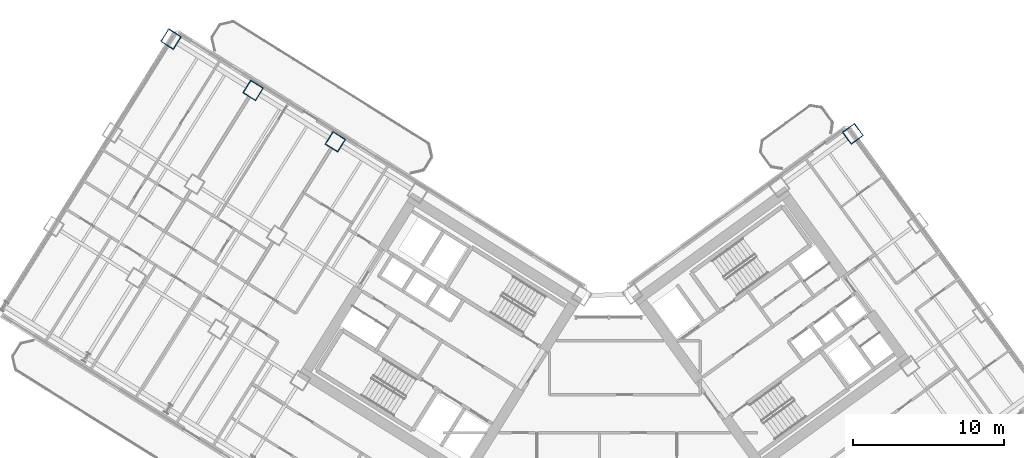
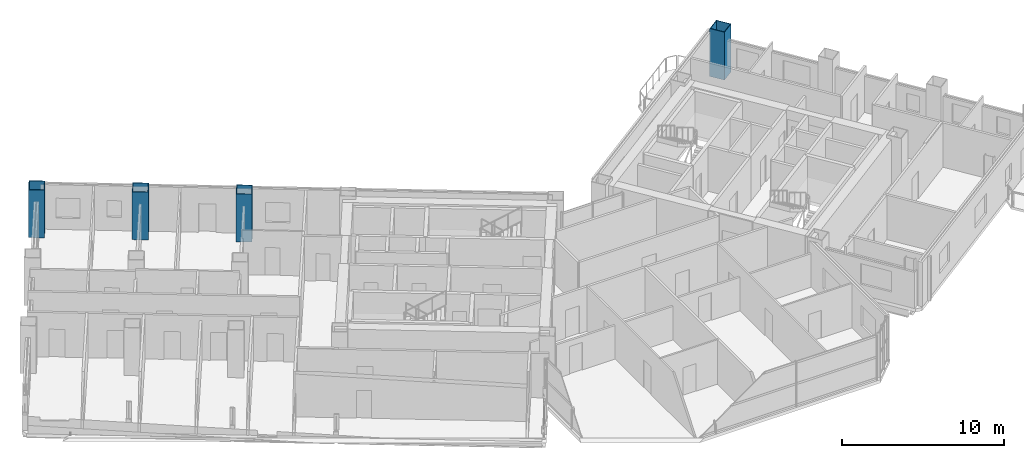
# One storey, part 3 of 28: 4 columns.
"""IFC4 building model written with IfcOpenShell, lengths in metres."""

from ifc_helpers import new_model, si_unit, direction, frame, origin, origin_2d, place, context, subcontext, project, spatial, hollow_rectangle, extrude, source, transform, mapped, material, material_profile, profile_set, type_object, element, save


model = new_model("IFC4")

# Units and contexts
model_context = context("Model", 3, precision=1e-05, world=origin(), true_north=direction((0.0, 1.0)))
body_context = subcontext(model_context, "Body", "Model", "MODEL_VIEW")
ifc_project = project(units=[si_unit("LENGTHUNIT", "METRE"), si_unit("AREAUNIT", "SQUARE_METRE"), si_unit("VOLUMEUNIT", "CUBIC_METRE"), si_unit("PLANEANGLEUNIT", "RADIAN"), si_unit("MASSUNIT", "GRAM", prefix="KILO")], contexts=[model_context])

# Site, building, storey
site_placement = place(None, origin())
site = spatial("IfcSite", under=ifc_project, at=site_placement, CompositionType="ELEMENT")
building_placement = place(site_placement, origin())
building = spatial("IfcBuilding", under=site, at=building_placement, Name="Tlacorven Tower", CompositionType="ELEMENT")
storey_placement = place(building_placement, frame((0.0, 0.0, 56.39990234375)))
storey = spatial("IfcBuildingStorey", under=building, at=storey_placement, Name="L14", CompositionType="ELEMENT", Elevation=56.39990234375)

# Columns
ifc_material = material(Name="Steel S460M", Category="steel")
ifc_material_profile = material_profile(ifc_material, hollow_rectangle(XDim=1.0, YDim=1.0, WallThickness=0.0400390625, at=origin_2d()), Name="BOX 1000X1000X40")
ifc_profile_set = profile_set([ifc_material_profile], Name="Steel S460M")
column_type = type_object("IfcColumnType", Name="COL-TWR-S1", PredefinedType="COLUMN", material=ifc_profile_set)
shared_shape = source(origin(), body_context, "Body", "SweptSolid", [
    extrude(hollow_rectangle(XDim=1.0, YDim=1.0, WallThickness=0.0400390625, at=origin_2d()), origin(), (0.0, 0.0, 1.0), 3.60009765625),
])
for number, where, z_axis, x_axis, name in (
    (1, (24.50048828125, 34.642822265625, 0.0), (0.0, 0.0, 1.0), (-0.848048096156, 0.529919264233, 0.0), "L14 column COL-L14-W4-1"),
    (2, (19.072998046875, 38.034423828125, 0.0), (0.0, 0.0, 1.0), (-0.848048096156, 0.529919264233, 0.0), "L14 column COL-L14-W5-1"),
    (3, (13.6455078125, 41.42578125, 0.0), (0.0, 0.0, 1.0), (-0.848048096156, 0.529919264233, 0.0), "L14 column COL-L14-W6-1"),
    (4, (58.68603515625, 35.165283203125, 0.0), (0.0, 0.0, 1.0), (0.809016994375, 0.587785252292, 0.0), "L14 column COL-L14-E4-4"),
):
    element("IfcColumn", number, at=place(storey_placement, frame(where, z_axis=z_axis, x_axis=x_axis)), inside=storey, type_object=column_type, Name=name, PredefinedType="COLUMN", context=body_context, shape_type="MappedRepresentation", body=[
        mapped(shared_shape, transform((0.0, 0.0, 0.0), scale=1.0)),
    ])

save(model, "model.ifc")
